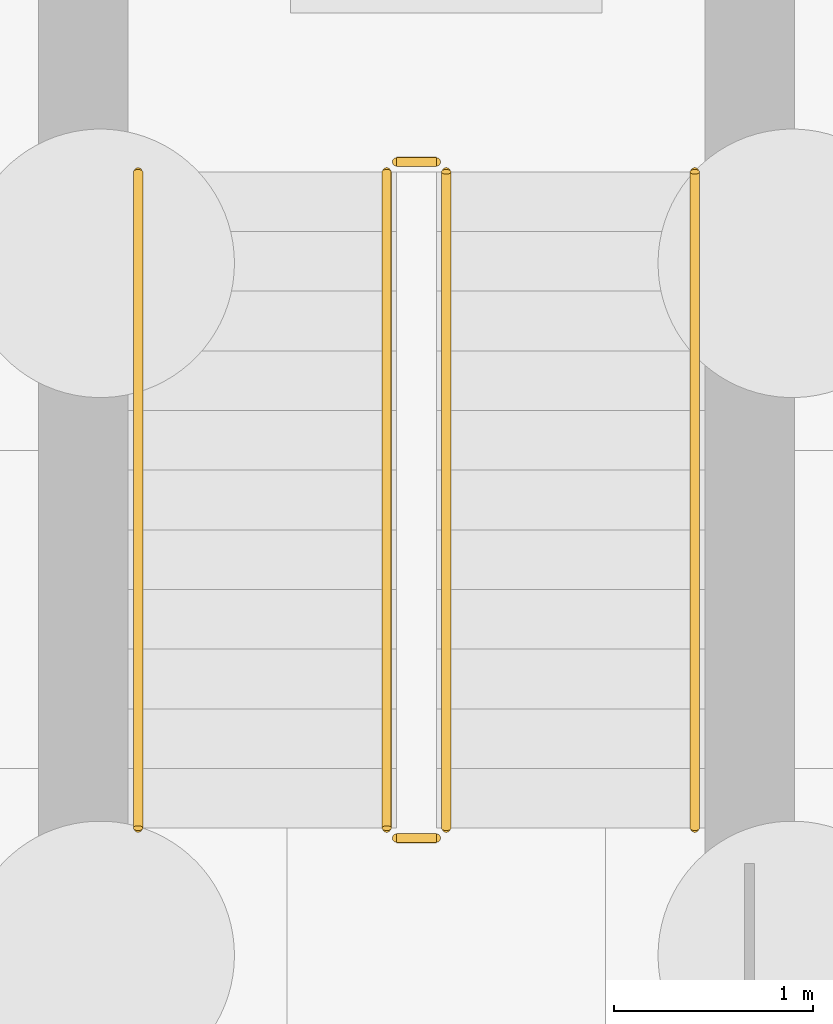
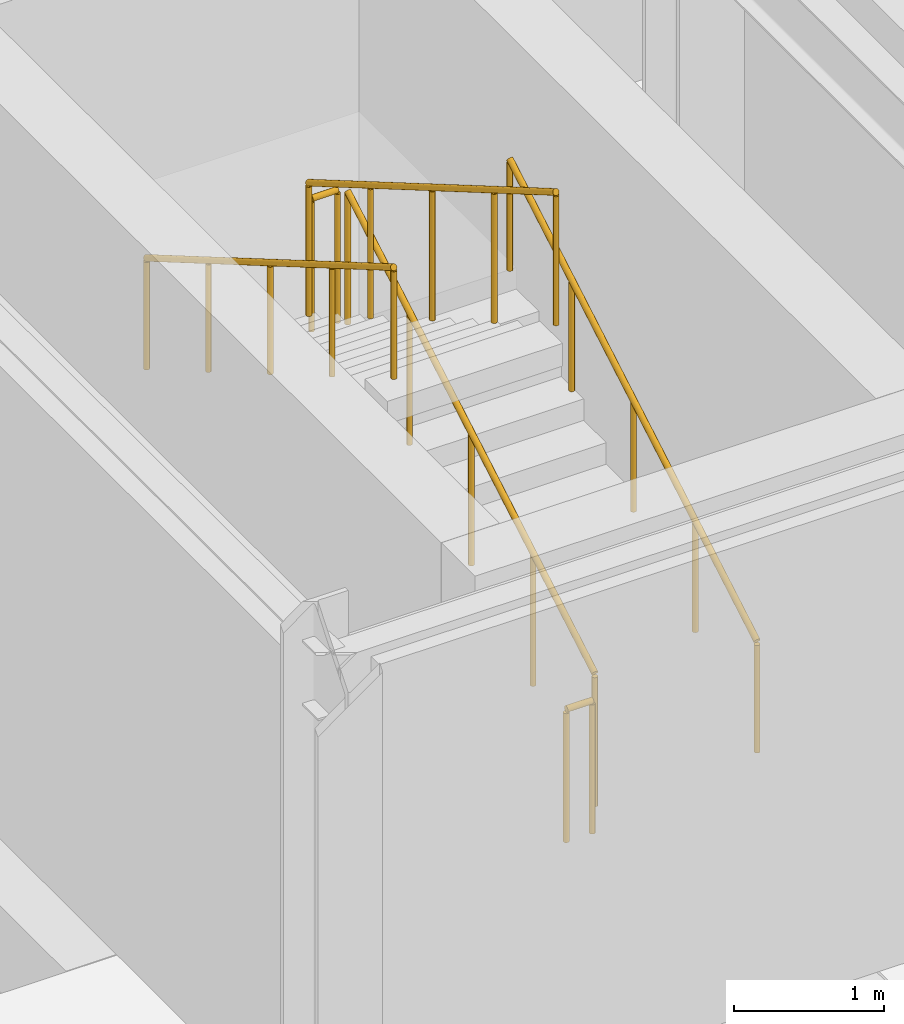
# One storey, part 53 of 58: 6 railings.
"""IFC4 building model written with IfcOpenShell, lengths in metres."""

from ifc_helpers import new_model, si_unit, direction, frame, origin, origin_2d, place, context, subcontext, project, spatial, circle, extrude, material, type_object, element, save


model = new_model("IFC4")

# Units and contexts
model_context = context("Model", 3, precision=1e-05, world=origin(), true_north=direction((0.0, 1.0)))
body_context = subcontext(model_context, "Body", "Model", "MODEL_VIEW")
ifc_project = project(units=[si_unit("LENGTHUNIT", "METRE"), si_unit("AREAUNIT", "SQUARE_METRE"), si_unit("VOLUMEUNIT", "CUBIC_METRE"), si_unit("PLANEANGLEUNIT", "RADIAN"), si_unit("MASSUNIT", "GRAM", prefix="KILO")], contexts=[model_context])

# Site, building, storey
site_placement = place(None, origin())
site = spatial("IfcSite", under=ifc_project, at=site_placement, CompositionType="ELEMENT")
building_placement = place(site_placement, origin())
building = spatial("IfcBuilding", under=site, at=building_placement, Name="Karori Crest Natural Sciences Institute", CompositionType="ELEMENT")
storey_placement = place(building_placement, frame((0.0, 0.0, -4.199951171875)))
storey = spatial("IfcBuildingStorey", under=building, at=storey_placement, Name="B1", CompositionType="ELEMENT", Elevation=-4.199951171875)

# Railings
ifc_material_1 = material(Name="Stainless steel 316 tubular handrail", Category="steel")
railing_type_1 = type_object("IfcRailingType", Name="RLT-HND", PredefinedType="HANDRAIL", material=ifc_material_1)
railing_1_placement = place(storey_placement, frame((108.14990234375, 3.0, 0.175048828125)))
element("IfcRailing", 1, at=railing_1_placement, inside=storey, type_object=railing_type_1, Name="Stair handrail RL-0097", PredefinedType="HANDRAIL", context=body_context, shape_type="SweptSolid", body=[
    extrude(circle(Radius=0.02392578125, at=origin_2d()), frame((0.0, 0.0, 0.90087890625), z_axis=(0.0, 0.863804395585, 0.503827317807), x_axis=(-1.0, 0.0, 0.0)), (0.0, 0.0, 1.0), 3.8203125),
    extrude(circle(Radius=0.02099609375, at=origin_2d()), origin(), (0.0, 0.0, 1.0), 0.876953125),
    extrude(circle(Radius=0.02099609375, at=origin_2d()), frame((0.0, 0.824951171875, 0.481201171875)), (0.0, 0.0, 1.0), 0.876953125),
    extrude(circle(Radius=0.02099609375, at=origin_2d()), frame((0.0, 1.64990234375, 0.96240234375)), (0.0, 0.0, 1.0), 0.876953125),
    extrude(circle(Radius=0.02099609375, at=origin_2d()), frame((0.0, 2.47509765625, 1.443603515625)), (0.0, 0.0, 1.0), 0.876953125),
    extrude(circle(Radius=0.02099609375, at=origin_2d()), frame((0.0, 3.300048828125, 1.9248046875)), (0.0, 0.0, 1.0), 0.876953125),
])
railing_2_placement = place(storey_placement, frame((105.35009765625, 6.300048828125, 2.27490234375)))
element("IfcRailing", 2, at=railing_2_placement, inside=storey, type_object=railing_type_1, Name="Stair handrail RL-0098", PredefinedType="HANDRAIL", context=body_context, shape_type="SweptSolid", body=[
    extrude(circle(Radius=0.02392578125, at=origin_2d()), frame((0.0, 0.0, 0.90087890625), z_axis=(0.0, -0.863776583165, 0.503874998761), x_axis=(1.0, 0.0, 0.0)), (0.0, 0.0, 1.0), 3.820556640625),
    extrude(circle(Radius=0.02099609375, at=origin_2d()), origin(), (0.0, 0.0, 1.0), 0.876953125),
    extrude(circle(Radius=0.02099609375, at=origin_2d()), frame((0.0, -0.824951171875, 0.481201171875)), (0.0, 0.0, 1.0), 0.876953125),
    extrude(circle(Radius=0.02099609375, at=origin_2d()), frame((0.0, -1.64990234375, 0.96240234375)), (0.0, 0.0, 1.0), 0.876953125),
    extrude(circle(Radius=0.02099609375, at=origin_2d()), frame((0.0, -2.47509765625, 1.44384765625)), (0.0, 0.0, 1.0), 0.876953125),
    extrude(circle(Radius=0.02099609375, at=origin_2d()), frame((0.0, -3.300048828125, 1.925048828125)), (0.0, 0.0, 1.0), 0.876953125),
])
ifc_material_2 = material(Name="Stainless steel 316 stair guard", Category="steel")
railing_type_2 = type_object("IfcRailingType", Name="RLT-STG", PredefinedType="GUARDRAIL", material=ifc_material_2)
railing_3_placement = place(storey_placement, frame((106.89990234375, 3.0, 0.175048828125)))
element("IfcRailing", 3, at=railing_3_placement, inside=storey, type_object=railing_type_2, Name="Stair guard RL-0093", PredefinedType="GUARDRAIL", context=body_context, shape_type="SweptSolid", body=[
    extrude(circle(Radius=0.02392578125, at=origin_2d()), frame((0.0, 0.0, 1.076171875), z_axis=(0.0, 0.863804395585, 0.503827317807), x_axis=(-1.0, 0.0, 0.0)), (0.0, 0.0, 1.0), 3.8203125),
    extrude(circle(Radius=0.02099609375, at=origin_2d()), origin(), (0.0, 0.0, 1.0), 1.052001953125),
    extrude(circle(Radius=0.02099609375, at=origin_2d()), frame((0.0, 0.824951171875, 0.481201171875)), (0.0, 0.0, 1.0), 1.052001953125),
    extrude(circle(Radius=0.02099609375, at=origin_2d()), frame((0.0, 1.64990234375, 0.96240234375)), (0.0, 0.0, 1.0), 1.052001953125),
    extrude(circle(Radius=0.02099609375, at=origin_2d()), frame((0.0, 2.47509765625, 1.443603515625)), (0.0, 0.0, 1.0), 1.052001953125),
    extrude(circle(Radius=0.02099609375, at=origin_2d()), frame((0.0, 3.300048828125, 1.9248046875)), (0.0, 0.0, 1.0), 1.052001953125),
])
railing_4_placement = place(storey_placement, frame((106.85009765625, 6.35009765625, 2.099853515625)))
element("IfcRailing", 4, at=railing_4_placement, inside=storey, type_object=railing_type_2, Name="Stair guard RL-0094", PredefinedType="GUARDRAIL", context=body_context, shape_type="SweptSolid", body=[
    extrude(circle(Radius=0.02392578125, at=origin_2d()), frame((0.0, 0.0, 1.076171875), z_axis=(-1.0, 0.0, 0.0), x_axis=(0.0, -1.0, 0.0)), (0.0, 0.0, 1.0), 0.2001953125),
    extrude(circle(Radius=0.02099609375, at=origin_2d()), origin(), (0.0, 0.0, 1.0), 1.052001953125),
    extrude(circle(Radius=0.02099609375, at=origin_2d()), frame((-0.2001953125, 0.0, 0.0)), (0.0, 0.0, 1.0), 1.052001953125),
])
railing_5_placement = place(storey_placement, frame((106.60009765625, 6.300048828125, 2.27490234375)))
element("IfcRailing", 5, at=railing_5_placement, inside=storey, type_object=railing_type_2, Name="Stair guard RL-0095", PredefinedType="GUARDRAIL", context=body_context, shape_type="SweptSolid", body=[
    extrude(circle(Radius=0.02392578125, at=origin_2d()), frame((0.0, 0.0, 1.076171875), z_axis=(0.0, -0.863776583165, 0.503874998761), x_axis=(1.0, 0.0, 0.0)), (0.0, 0.0, 1.0), 3.820556640625),
    extrude(circle(Radius=0.02099609375, at=origin_2d()), origin(), (0.0, 0.0, 1.0), 1.052001953125),
    extrude(circle(Radius=0.02099609375, at=origin_2d()), frame((0.0, -0.824951171875, 0.481201171875)), (0.0, 0.0, 1.0), 1.052001953125),
    extrude(circle(Radius=0.02099609375, at=origin_2d()), frame((0.0, -1.64990234375, 0.96240234375)), (0.0, 0.0, 1.0), 1.052001953125),
    extrude(circle(Radius=0.02099609375, at=origin_2d()), frame((0.0, -2.47509765625, 1.44384765625)), (0.0, 0.0, 1.0), 1.052001953125),
    extrude(circle(Radius=0.02099609375, at=origin_2d()), frame((0.0, -3.300048828125, 1.925048828125)), (0.0, 0.0, 1.0), 1.052001953125),
])
railing_6_placement = place(storey_placement, frame((106.85009765625, 2.949951171875, 0.0)))
element("IfcRailing", 6, at=railing_6_placement, inside=storey, type_object=railing_type_2, Name="Stair guard RL-0096", PredefinedType="GUARDRAIL", context=body_context, shape_type="SweptSolid", body=[
    extrude(circle(Radius=0.02392578125, at=origin_2d()), frame((0.0, 0.0, 1.076171875), z_axis=(-1.0, 0.0, 0.0), x_axis=(0.0, -1.0, 0.0)), (0.0, 0.0, 1.0), 0.2001953125),
    extrude(circle(Radius=0.02099609375, at=origin_2d()), origin(), (0.0, 0.0, 1.0), 1.052001953125),
    extrude(circle(Radius=0.02099609375, at=origin_2d()), frame((-0.2001953125, 0.0, 0.0)), (0.0, 0.0, 1.0), 1.052001953125),
])

save(model, "model.ifc")
